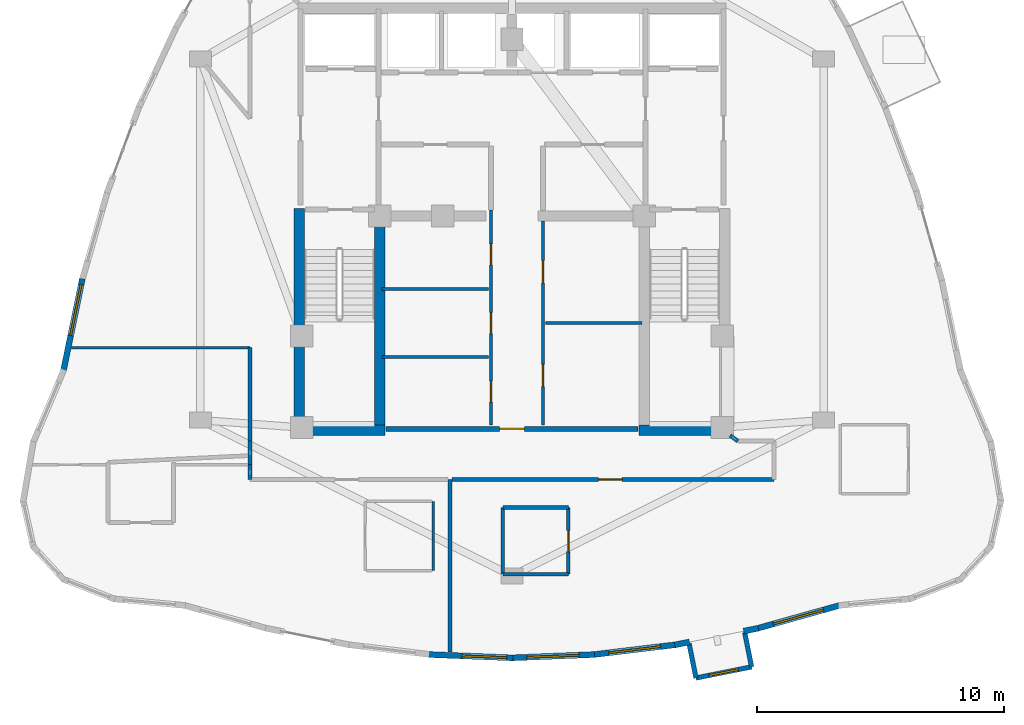
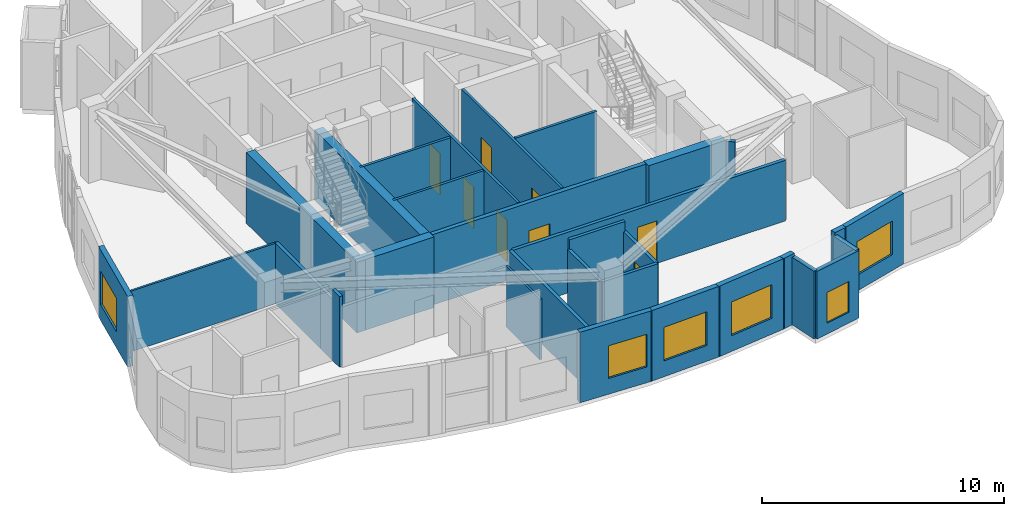
# One storey, part 12 of 16: 32 walls, 8 doors, 6 windows, 14 openings.
"""IFC4 building model written with IfcOpenShell, lengths in metres."""

from ifc_helpers import new_model, si_unit, direction, frame, frame_2d, origin, place, context, subcontext, project, spatial, rectangle, extrude, material, layer, layer_set, type_object, element, fill, save


model = new_model("IFC4")

# Units and contexts
model_context = context("Model", 3, precision=1e-05, world=origin(), true_north=direction((0.0, 1.0)))
body_context = subcontext(model_context, "Body", "Model", "MODEL_VIEW")
ifc_project = project(units=[si_unit("LENGTHUNIT", "METRE"), si_unit("AREAUNIT", "SQUARE_METRE"), si_unit("VOLUMEUNIT", "CUBIC_METRE"), si_unit("PLANEANGLEUNIT", "RADIAN"), si_unit("MASSUNIT", "GRAM", prefix="KILO")], contexts=[model_context])

# Site, building, storey
site_placement = place(None, origin())
site = spatial("IfcSite", under=ifc_project, at=site_placement, CompositionType="ELEMENT")
building_placement = place(site_placement, origin())
building = spatial("IfcBuilding", under=site, at=building_placement, Name="Miruveldt Soraemaru", CompositionType="ELEMENT")
storey_placement = place(building_placement, frame((0.0, 0.0, 271.25)))
storey = spatial("IfcBuildingStorey", under=building, at=storey_placement, Name="L74", CompositionType="ELEMENT", Elevation=271.25)

# Walls
ifc_material_1 = material(Name="White powder-coated aluminium EN AW-6060 T6", Category="aluminium")
ifc_layer_1 = layer(ifc_material_1, 0.18994140625, Name="White powder-coated aluminium EN AW-6060 T6", Category="aluminium")
ifc_layer_set_1 = layer_set([ifc_layer_1], Name="White powder-coated aluminium EN AW-6060 T6")
wall_type_1 = type_object("IfcWallType", Name="WALL-BAY-ALU190", PredefinedType="SOLIDWALL", material=ifc_layer_set_1)
wall_1_placement = place(storey_placement, frame((51.158447265625, 26.767578125, 0.0), z_axis=(0.0, 0.0, 1.0), x_axis=(0.196149079112, -0.980574086321, 0.0)))
element("IfcWall", 1, at=wall_1_placement, inside=storey, type_object=wall_type_1, Name="L74 Bay Window Side Cheek 2L", PredefinedType="SOLIDWALL", context=body_context, shape_type="SweptSolid", body=[
    extrude(rectangle(XDim=1.425048828125, YDim=0.18994140625, at=frame_2d((0.71240234375, 0.0))), origin(), (0.0, 0.0, 1.0), 3.4150390625),
])
wall_2_placement = place(storey_placement, frame((53.688232421875, 25.8203125, 0.0), z_axis=(0.0, 0.0, 1.0), x_axis=(-0.196017281962, 0.980600441144, 0.0)))
element("IfcWall", 2, at=wall_2_placement, inside=storey, type_object=wall_type_1, Name="L74 Bay Window Side Cheek 2R", PredefinedType="SOLIDWALL", context=body_context, shape_type="SweptSolid", body=[
    extrude(rectangle(XDim=1.4248046875, YDim=0.18994140625, at=frame_2d((0.71240234375, 0.0))), origin(), (0.0, 0.0, 1.0), 3.4150390625),
])

# Wall, opening, window
wall_3_placement = place(storey_placement, frame((51.43798828125, 25.3701171875, 0.0), z_axis=(0.0, 0.0, 1.0), x_axis=(0.980568398354, 0.196177511833, 0.0)))
wall_3 = element("IfcWall", 3, at=wall_3_placement, inside=storey, type_object=wall_type_1, Name="L74 Bay Window Front Frame 2", PredefinedType="SOLIDWALL", context=body_context, shape_type="SweptSolid", body=[
    extrude(rectangle(XDim=2.294921875, YDim=0.18994140625, at=frame_2d((1.1474609375, 0.0))), origin(), (0.0, 0.0, 1.0), 3.4150390625),
])
opening_1_placement = place(wall_3_placement, frame((0.547119140625, 0.0, 0.550048828125)))
opening_1 = element("IfcOpeningElement", 4, at=opening_1_placement, cuts=wall_3, Name="Opening WN-4", PredefinedType="OPENING", context=body_context, shape_type="SweptSolid", body=[
    extrude(rectangle(XDim=1.199951171875, YDim=1.550048828125, at=frame_2d((0.60009765625, 0.77490234375))), frame((0.0, 0.10498046875, 0.0), z_axis=(0.0, -1.0, 0.0), x_axis=(1.0, 0.0, 0.0)), (0.0, 0.0, 1.0), 0.2099609375),
])
ifc_material_2 = material(Name="Triple low-e insulated glazing", Category="glass")
window_type_1 = type_object("IfcWindowType", Name="WIN-PUNCH-1200x1550", PartitioningType="SINGLE_PANEL", PredefinedType="WINDOW", material=ifc_material_2)
window_1_placement = place(opening_1_placement, origin())
window_1 = element("IfcWindow", 5, at=window_1_placement, inside=storey, type_object=window_type_1, Name="L74 Projecting Bay Window 2", OverallHeight=1.550048828125, OverallWidth=1.199951171875, PartitioningType="SINGLE_PANEL", PredefinedType="WINDOW", context=body_context, shape_type="SweptSolid", body=[
    extrude(rectangle(XDim=1.199951171875, YDim=1.550048828125, at=frame_2d((0.60009765625, 0.77490234375))), frame((0.0, 0.030029296875, 0.0), z_axis=(0.0, -1.0, 0.0), x_axis=(1.0, 0.0, 0.0)), (0.0, 0.0, 1.0), 0.06005859375),
])
fill(opening_1, window_1)

# Walls
ifc_material_3 = material(Name="Concrete C50/60 (50 MPa)", Category="concrete")
ifc_layer_2 = layer(ifc_material_3, 0.419921875, Name="Concrete C50/60 (50 MPa)", Category="concrete")
ifc_layer_set_2 = layer_set([ifc_layer_2], Name="Concrete C50/60 (50 MPa)")
wall_type_2 = type_object("IfcWallType", Name="WALL-CW-420", PredefinedType="SHEAR", material=ifc_layer_set_2)
for number, where, z_axis, x_axis, name in (
    (6, (35.179931640625, 35.389892578125, 0.0), (0.0, 0.0, 1.0), (1.0, 0.0, 0.0), "L74 Central Core Shear Wall S1"),
    (7, (49.1298828125, 35.389892578125, 0.0), (0.0, 0.0, 1.0), (1.0, 0.0, 0.0), "L74 Central Core Shear Wall S2"),
):
    element("IfcWall", number, at=place(storey_placement, frame(where, z_axis=z_axis, x_axis=x_axis)), inside=storey, type_object=wall_type_2, Name=name, PredefinedType="SHEAR", context=body_context, shape_type="SweptSolid", body=[
        extrude(rectangle(XDim=3.690185546875, YDim=0.419921875, at=frame_2d((1.84521484375, 0.0))), origin(), (0.0, 0.0, 1.0), 3.56494140625),
    ])
wall_4_placement = place(storey_placement, frame((35.389892578125, 35.179931640625, 0.0), z_axis=(0.0, 0.0, 1.0), x_axis=(0.0, 1.0, 0.0)))
element("IfcWall", 8, at=wall_4_placement, inside=storey, type_object=wall_type_2, Name="L74 Central Core Shear Wall W1", PredefinedType="SHEAR", context=body_context, shape_type="SweptSolid", body=[
    extrude(rectangle(XDim=9.170166015625, YDim=0.419921875, at=frame_2d((4.5849609375, 0.0))), origin(), (0.0, 0.0, 1.0), 3.56494140625),
])
wall_5_placement = place(storey_placement, frame((38.659912109375, 35.39990234375, 0.0), z_axis=(0.0, 0.0, 1.0), x_axis=(0.0, 1.0, 0.0)))
element("IfcWall", 9, at=wall_5_placement, inside=storey, type_object=wall_type_2, Name="L74 Central Core Shear Wall SW-INT", PredefinedType="SHEAR", context=body_context, shape_type="SweptSolid", body=[
    extrude(rectangle(XDim=8.9501953125, YDim=0.419921875, at=frame_2d((4.47509765625, 0.0))), origin(), (0.0, 0.0, 1.0), 3.56494140625),
])

# Wall, opening, window
ifc_material_4 = material(Name="Precast concrete C45/55 (45 MPa)", Category="concrete")
ifc_layer_3 = layer(ifc_material_4, 0.239990234375, Name="Precast concrete C45/55 (45 MPa)", Category="concrete")
ifc_layer_set_3 = layer_set([ifc_layer_3], Name="Precast concrete C45/55 (45 MPa)")
wall_type_3 = type_object("IfcWallType", Name="WALL-EXT-PC240", PredefinedType="SOLIDWALL", material=ifc_layer_set_3)
wall_6_placement = place(storey_placement, frame((26.62646484375, 41.516357421875, 0.0), z_axis=(0.0, 0.0, 1.0), x_axis=(-0.201582588986, -0.979471520677, 0.0)))
wall_6 = element("IfcWall", 10, at=wall_6_placement, inside=storey, type_object=wall_type_3, Name="L74 Precast Concrete Facade Wall 14", PredefinedType="SOLIDWALL", context=body_context, shape_type="SweptSolid", body=[
    extrude(rectangle(XDim=3.81982421875, YDim=0.239990234375, at=frame_2d((1.909912109375, 0.0))), origin(), (0.0, 0.0, 1.0), 3.56494140625),
])
opening_2_placement = place(wall_6_placement, frame((0.242919921875, 0.0, 0.800048828125)))
opening_2 = element("IfcOpeningElement", 11, at=opening_2_placement, cuts=wall_6, Name="Opening WN-1", PredefinedType="OPENING", context=body_context, shape_type="SweptSolid", body=[
    extrude(rectangle(XDim=2.10009765625, YDim=1.699951171875, at=frame_2d((1.050048828125, 0.85009765625))), frame((0.0, 0.1298828125, 0.0), z_axis=(0.0, -1.0, 0.0), x_axis=(1.0, 0.0, 0.0)), (0.0, 0.0, 1.0), 0.260009765625),
])
window_type_2 = type_object("IfcWindowType", Name="WIN-PUNCH-2100x1700", PartitioningType="SINGLE_PANEL", PredefinedType="WINDOW", material=ifc_material_2)
window_2_placement = place(opening_2_placement, origin())
window_2 = element("IfcWindow", 12, at=window_2_placement, inside=storey, type_object=window_type_2, Name="L74 Punched Triple-Glazed Window 14.1", OverallHeight=1.699951171875, OverallWidth=2.10009765625, PartitioningType="SINGLE_PANEL", PredefinedType="WINDOW", context=body_context, shape_type="SweptSolid", body=[
    extrude(rectangle(XDim=2.10009765625, YDim=1.699951171875, at=frame_2d((1.050048828125, 0.85009765625))), frame((0.0, 0.030029296875, 0.0), z_axis=(0.0, -1.0, 0.0), x_axis=(1.0, 0.0, 0.0)), (0.0, 0.0, 1.0), 0.06005859375),
])
fill(opening_2, window_2)

wall_7_placement = place(storey_placement, frame((40.65576171875, 26.31982421875, 0.0), z_axis=(0.0, 0.0, 1.0), x_axis=(0.999202802808, -0.039921909541, 0.0)))
wall_7 = element("IfcWall", 13, at=wall_7_placement, inside=storey, type_object=wall_type_3, Name="L74 Precast Concrete Facade Wall 24", PredefinedType="SOLIDWALL", context=body_context, shape_type="SweptSolid", body=[
    extrude(rectangle(XDim=3.3818359375, YDim=0.239990234375, at=frame_2d((1.69091796875, 0.0))), origin(), (0.0, 0.0, 1.0), 3.56494140625),
])
opening_3_placement = place(wall_7_placement, frame((1.33203125, 0.0, 0.800048828125)))
opening_3 = element("IfcOpeningElement", 14, at=opening_3_placement, cuts=wall_7, Name="Opening WN-2", PredefinedType="OPENING", context=body_context, shape_type="SweptSolid", body=[
    extrude(rectangle(XDim=1.800048828125, YDim=1.64990234375, at=frame_2d((0.89990234375, 0.824951171875))), frame((0.0, 0.1298828125, 0.0), z_axis=(0.0, -1.0, 0.0), x_axis=(1.0, 0.0, 0.0)), (0.0, 0.0, 1.0), 0.260009765625),
])
window_type_3 = type_object("IfcWindowType", Name="WIN-PUNCH-1800x1650", PartitioningType="SINGLE_PANEL", PredefinedType="WINDOW", material=ifc_material_2)
window_3_placement = place(opening_3_placement, origin())
window_3 = element("IfcWindow", 15, at=window_3_placement, inside=storey, type_object=window_type_3, Name="L74 Punched Triple-Glazed Window 24.1", OverallHeight=1.64990234375, OverallWidth=1.800048828125, PartitioningType="SINGLE_PANEL", PredefinedType="WINDOW", context=body_context, shape_type="SweptSolid", body=[
    extrude(rectangle(XDim=1.800048828125, YDim=1.64990234375, at=frame_2d((0.89990234375, 0.824951171875))), frame((0.0, 0.030029296875, 0.0), z_axis=(0.0, -1.0, 0.0), x_axis=(1.0, 0.0, 0.0)), (0.0, 0.0, 1.0), 0.06005859375),
])
fill(opening_3, window_3)

wall_8_placement = place(storey_placement, frame((43.965087890625, 26.184814453125, 0.0), z_axis=(0.0, 0.0, 1.0), x_axis=(0.999202802808, 0.039921909541, 0.0)))
wall_8 = element("IfcWall", 16, at=wall_8_placement, inside=storey, type_object=wall_type_3, Name="L74 Precast Concrete Facade Wall 25", PredefinedType="SOLIDWALL", context=body_context, shape_type="SweptSolid", body=[
    extrude(rectangle(XDim=3.3818359375, YDim=0.239990234375, at=frame_2d((1.69091796875, 0.0))), origin(), (0.0, 0.0, 1.0), 3.56494140625),
])
opening_4_placement = place(wall_8_placement, frame((0.64111328125, 0.0, 0.800048828125)))
opening_4 = element("IfcOpeningElement", 17, at=opening_4_placement, cuts=wall_8, Name="Opening WN-1", PredefinedType="OPENING", context=body_context, shape_type="SweptSolid", body=[
    extrude(rectangle(XDim=2.10009765625, YDim=1.699951171875, at=frame_2d((1.050048828125, 0.85009765625))), frame((0.0, 0.1298828125, 0.0), z_axis=(0.0, -1.0, 0.0), x_axis=(1.0, 0.0, 0.0)), (0.0, 0.0, 1.0), 0.260009765625),
])
window_4_placement = place(opening_4_placement, origin())
window_4 = element("IfcWindow", 18, at=window_4_placement, inside=storey, type_object=window_type_2, Name="L74 Punched Triple-Glazed Window 25.1", OverallHeight=1.699951171875, OverallWidth=2.10009765625, PartitioningType="SINGLE_PANEL", PredefinedType="WINDOW", context=body_context, shape_type="SweptSolid", body=[
    extrude(rectangle(XDim=2.10009765625, YDim=1.699951171875, at=frame_2d((1.050048828125, 0.85009765625))), frame((0.0, 0.030029296875, 0.0), z_axis=(0.0, -1.0, 0.0), x_axis=(1.0, 0.0, 0.0)), (0.0, 0.0, 1.0), 0.06005859375),
])
fill(opening_4, window_4)

wall_9_placement = place(storey_placement, frame((47.2744140625, 26.314208984375, 0.0), z_axis=(0.0, 0.0, 1.0), x_axis=(0.992874122343, 0.119167852967, 0.0)))
wall_9 = element("IfcWall", 19, at=wall_9_placement, inside=storey, type_object=wall_type_3, Name="L74 Precast Concrete Facade Wall 26", PredefinedType="SOLIDWALL", context=body_context, shape_type="SweptSolid", body=[
    extrude(rectangle(XDim=3.40283203125, YDim=0.239990234375, at=frame_2d((1.701416015625, 0.0))), origin(), (0.0, 0.0, 1.0), 3.56494140625),
])
opening_5_placement = place(wall_9_placement, frame((0.65087890625, 0.0, 0.800048828125)))
opening_5 = element("IfcOpeningElement", 20, at=opening_5_placement, cuts=wall_9, Name="Opening WN-1", PredefinedType="OPENING", context=body_context, shape_type="SweptSolid", body=[
    extrude(rectangle(XDim=2.10009765625, YDim=1.699951171875, at=frame_2d((1.050048828125, 0.85009765625))), frame((0.0, 0.1298828125, 0.0), z_axis=(0.0, -1.0, 0.0), x_axis=(1.0, 0.0, 0.0)), (0.0, 0.0, 1.0), 0.260009765625),
])
window_5_placement = place(opening_5_placement, origin())
window_5 = element("IfcWindow", 21, at=window_5_placement, inside=storey, type_object=window_type_2, Name="L74 Punched Triple-Glazed Window 26.1", OverallHeight=1.699951171875, OverallWidth=2.10009765625, PartitioningType="SINGLE_PANEL", PredefinedType="WINDOW", context=body_context, shape_type="SweptSolid", body=[
    extrude(rectangle(XDim=2.10009765625, YDim=1.699951171875, at=frame_2d((1.050048828125, 0.85009765625))), frame((0.0, 0.030029296875, 0.0), z_axis=(0.0, -1.0, 0.0), x_axis=(1.0, 0.0, 0.0)), (0.0, 0.0, 1.0), 0.06005859375),
])
fill(opening_5, window_5)

# Walls
wall_10_placement = place(storey_placement, frame((50.583984375, 26.708740234375, 0.0), z_axis=(0.0, 0.0, 1.0), x_axis=(0.980565146046, 0.196193767385, 0.0)))
element("IfcWall", 22, at=wall_10_placement, inside=storey, type_object=wall_type_3, Name="L74 Precast Pier Wall 27A", PredefinedType="SOLIDWALL", context=body_context, shape_type="SweptSolid", body=[
    extrude(rectangle(XDim=0.604736328125, YDim=0.239990234375, at=frame_2d((0.30224609375, 0.0))), origin(), (0.0, 0.0, 1.0), 3.56494140625),
])
wall_11_placement = place(storey_placement, frame((53.36865234375, 27.265625, 0.0), z_axis=(0.0, 0.0, 1.0), x_axis=(0.980580675691, 0.196116135138, 0.0)))
element("IfcWall", 23, at=wall_11_placement, inside=storey, type_object=wall_type_3, Name="L74 Precast Pier Wall 27B", PredefinedType="SOLIDWALL", context=body_context, shape_type="SweptSolid", body=[
    extrude(rectangle(XDim=0.60498046875, YDim=0.239990234375, at=frame_2d((0.302490234375, 0.0))), origin(), (0.0, 0.0, 1.0), 3.56494140625),
])

# Wall, opening, window
wall_12_placement = place(storey_placement, frame((53.893798828125, 27.367919921875, 0.0), z_axis=(0.0, 0.0, 1.0), x_axis=(0.962953171866, 0.269668664833, 0.0)))
wall_12 = element("IfcWall", 24, at=wall_12_placement, inside=storey, type_object=wall_type_3, Name="L74 Precast Concrete Facade Wall 28", PredefinedType="SOLIDWALL", context=body_context, shape_type="SweptSolid", body=[
    extrude(rectangle(XDim=3.50634765625, YDim=0.239990234375, at=frame_2d((1.753173828125, 0.0))), origin(), (0.0, 0.0, 1.0), 3.56494140625),
])
opening_6_placement = place(wall_12_placement, frame((0.702880859375, 0.0, 0.800048828125)))
opening_6 = element("IfcOpeningElement", 25, at=opening_6_placement, cuts=wall_12, Name="Opening WN-1", PredefinedType="OPENING", context=body_context, shape_type="SweptSolid", body=[
    extrude(rectangle(XDim=2.10009765625, YDim=1.699951171875, at=frame_2d((1.050048828125, 0.85009765625))), frame((0.0, 0.1298828125, 0.0), z_axis=(0.0, -1.0, 0.0), x_axis=(1.0, 0.0, 0.0)), (0.0, 0.0, 1.0), 0.260009765625),
])
window_6_placement = place(opening_6_placement, origin())
window_6 = element("IfcWindow", 26, at=window_6_placement, inside=storey, type_object=window_type_2, Name="L74 Punched Triple-Glazed Window 28.1", OverallHeight=1.699951171875, OverallWidth=2.10009765625, PartitioningType="SINGLE_PANEL", PredefinedType="WINDOW", context=body_context, shape_type="SweptSolid", body=[
    extrude(rectangle(XDim=2.10009765625, YDim=1.699951171875, at=frame_2d((1.050048828125, 0.85009765625))), frame((0.0, 0.030029296875, 0.0), z_axis=(0.0, -1.0, 0.0), x_axis=(1.0, 0.0, 0.0)), (0.0, 0.0, 1.0), 0.06005859375),
])
fill(opening_6, window_6)

# Walls
ifc_material_5 = material(Name="Gypsum plasterboard lining", Category="gypsum")
ifc_layer_4 = layer(ifc_material_5, 0.10009765625, Name="Gypsum plasterboard lining", Category="gypsum")
ifc_layer_set_4 = layer_set([ifc_layer_4], Name="Gypsum plasterboard lining")
wall_type_4 = type_object("IfcWallType", Name="WALL-INT-P100", PredefinedType="PARTITIONING", material=ifc_layer_set_4)
wall_13_placement = place(storey_placement, frame((26.18896484375, 38.720947265625, 0.0), z_axis=(0.0, 0.0, 1.0), x_axis=(0.999998839378, 0.001523562695, 0.0)))
element("IfcWall", 27, at=wall_13_placement, inside=storey, type_object=wall_type_4, Name="L74 Partition Wall 39", PredefinedType="PARTITIONING", context=body_context, shape_type="SweptSolid", body=[
    extrude(rectangle(XDim=7.2109375, YDim=0.10009765625, at=frame_2d((3.60546875, 0.0))), origin(), (0.0, 0.0, 1.0), 3.06494140625),
])
wall_14_placement = place(storey_placement, frame((40.81005859375, 29.7109375, 0.0), z_axis=(0.0, 0.0, 1.0), x_axis=(0.0, 1.0, 0.0)))
element("IfcWall", 28, at=wall_14_placement, inside=storey, type_object=wall_type_4, Name="L74 Partition Wall 23", PredefinedType="PARTITIONING", context=body_context, shape_type="SweptSolid", body=[
    extrude(rectangle(XDim=2.800048828125, YDim=0.10009765625, at=frame_2d((1.39990234375, 0.0))), origin(), (0.0, 0.0, 1.0), 3.06494140625),
])

# Wall, openings, doors
ifc_layer_5 = layer(ifc_material_5, 0.1201171875, Name="Gypsum plasterboard lining", Category="gypsum")
ifc_layer_set_5 = layer_set([ifc_layer_5], Name="Gypsum plasterboard lining")
wall_type_5 = type_object("IfcWallType", Name="WALL-INT-P120", PredefinedType="PARTITIONING", material=ifc_layer_set_5)
wall_15_placement = place(storey_placement, frame((43.14990234375, 35.60009765625, 0.0), z_axis=(0.0, 0.0, 1.0), x_axis=(0.0, 1.0, 0.0)))
wall_15 = element("IfcWall", 29, at=wall_15_placement, inside=storey, type_object=wall_type_5, Name="L74 Core Compartment Wall SP-WL", PredefinedType="PARTITIONING", context=body_context, shape_type="SweptSolid", body=[
    extrude(rectangle(XDim=8.699951171875, YDim=0.1201171875, at=frame_2d((4.35009765625, 0.0))), origin(), (0.0, 0.0, 1.0), 3.56494140625),
])
opening_7_placement = place(wall_15_placement, frame((0.925048828125, 0.0, 0.0)))
opening_7 = element("IfcOpeningElement", 30, at=opening_7_placement, cuts=wall_15, Name="Opening FD3", PredefinedType="OPENING", context=body_context, shape_type="SweptSolid", body=[
    extrude(rectangle(XDim=0.85009765625, YDim=2.10009765625, at=frame_2d((0.425048828125, 1.050048828125))), frame((0.0, 0.070068359375, 0.0), z_axis=(0.0, -1.0, 0.0), x_axis=(1.0, 0.0, 0.0)), (0.0, 0.0, 1.0), 0.14013671875),
])
opening_8_placement = place(wall_15_placement, frame((3.695068359375, 0.0, 0.0)))
opening_8 = element("IfcOpeningElement", 31, at=opening_8_placement, cuts=wall_15, Name="Opening FD3", PredefinedType="OPENING", context=body_context, shape_type="SweptSolid", body=[
    extrude(rectangle(XDim=0.85009765625, YDim=2.10009765625, at=frame_2d((0.425048828125, 1.050048828125))), frame((0.0, 0.070068359375, 0.0), z_axis=(0.0, -1.0, 0.0), x_axis=(1.0, 0.0, 0.0)), (0.0, 0.0, 1.0), 0.14013671875),
])
opening_9_placement = place(wall_15_placement, frame((6.47509765625, 0.0, 0.0)))
opening_9 = element("IfcOpeningElement", 32, at=opening_9_placement, cuts=wall_15, Name="Opening FD3", PredefinedType="OPENING", context=body_context, shape_type="SweptSolid", body=[
    extrude(rectangle(XDim=0.85009765625, YDim=2.10009765625, at=frame_2d((0.425048828125, 1.050048828125))), frame((0.0, 0.070068359375, 0.0), z_axis=(0.0, -1.0, 0.0), x_axis=(1.0, 0.0, 0.0)), (0.0, 0.0, 1.0), 0.14013671875),
])
ifc_material_6 = material(Name="Anodised aluminium EN AW-6063 T6", Category="aluminium")
door_type_1 = type_object("IfcDoorType", Name="DOOR-FD3-850", OperationType="NOTDEFINED", PredefinedType="DOOR", material=ifc_material_6)
door_1_placement = place(opening_7_placement, origin())
door_1 = element("IfcDoor", 33, at=door_1_placement, inside=storey, type_object=door_type_1, Name="L74 Fire Door", OperationType="SINGLE_SWING_LEFT", OverallHeight=2.10009765625, OverallWidth=0.85009765625, PredefinedType="DOOR", context=body_context, shape_type="SweptSolid", body=[
    extrude(rectangle(XDim=0.85009765625, YDim=2.10009765625, at=frame_2d((0.425048828125, 1.050048828125))), frame((0.0, 0.02490234375, 0.0), z_axis=(0.0, -1.0, 0.0), x_axis=(1.0, 0.0, 0.0)), (0.0, 0.0, 1.0), 0.050048828125),
])
fill(opening_7, door_1)
door_2_placement = place(opening_8_placement, origin())
door_2 = element("IfcDoor", 34, at=door_2_placement, inside=storey, type_object=door_type_1, Name="L74 Fire Door", OperationType="SINGLE_SWING_LEFT", OverallHeight=2.10009765625, OverallWidth=0.85009765625, PredefinedType="DOOR", context=body_context, shape_type="SweptSolid", body=[
    extrude(rectangle(XDim=0.85009765625, YDim=2.10009765625, at=frame_2d((0.425048828125, 1.050048828125))), frame((0.0, 0.02490234375, 0.0), z_axis=(0.0, -1.0, 0.0), x_axis=(1.0, 0.0, 0.0)), (0.0, 0.0, 1.0), 0.050048828125),
])
fill(opening_8, door_2)
door_3_placement = place(opening_9_placement, origin())
door_3 = element("IfcDoor", 35, at=door_3_placement, inside=storey, type_object=door_type_1, Name="L74 Fire Door", OperationType="SINGLE_SWING_LEFT", OverallHeight=2.10009765625, OverallWidth=0.85009765625, PredefinedType="DOOR", context=body_context, shape_type="SweptSolid", body=[
    extrude(rectangle(XDim=0.85009765625, YDim=2.10009765625, at=frame_2d((0.425048828125, 1.050048828125))), frame((0.0, 0.02490234375, 0.0), z_axis=(0.0, -1.0, 0.0), x_axis=(1.0, 0.0, 0.0)), (0.0, 0.0, 1.0), 0.050048828125),
])
fill(opening_9, door_3)

wall_16_placement = place(storey_placement, frame((45.25, 35.60009765625, 0.0), z_axis=(0.0, 0.0, 1.0), x_axis=(0.0, 1.0, 0.0)))
wall_16 = element("IfcWall", 36, at=wall_16_placement, inside=storey, type_object=wall_type_5, Name="L74 Core Compartment Wall SP-EL", PredefinedType="PARTITIONING", context=body_context, shape_type="SweptSolid", body=[
    extrude(rectangle(XDim=8.25, YDim=0.1201171875, at=frame_2d((4.125, 0.0))), origin(), (0.0, 0.0, 1.0), 3.56494140625),
])
opening_10_placement = place(wall_16_placement, frame((1.550048828125, 0.0, 0.0)))
opening_10 = element("IfcOpeningElement", 37, at=opening_10_placement, cuts=wall_16, Name="Opening D3", PredefinedType="OPENING", context=body_context, shape_type="SweptSolid", body=[
    extrude(rectangle(XDim=0.89990234375, YDim=2.10009765625, at=frame_2d((0.449951171875, 1.050048828125))), frame((0.0, 0.070068359375, 0.0), z_axis=(0.0, -1.0, 0.0), x_axis=(1.0, 0.0, 0.0)), (0.0, 0.0, 1.0), 0.14013671875),
])
opening_11_placement = place(wall_16_placement, frame((5.75, 0.0, 0.0)))
opening_11 = element("IfcOpeningElement", 38, at=opening_11_placement, cuts=wall_16, Name="Opening D3", PredefinedType="OPENING", context=body_context, shape_type="SweptSolid", body=[
    extrude(rectangle(XDim=0.89990234375, YDim=2.10009765625, at=frame_2d((0.449951171875, 1.050048828125))), frame((0.0, 0.070068359375, 0.0), z_axis=(0.0, -1.0, 0.0), x_axis=(1.0, 0.0, 0.0)), (0.0, 0.0, 1.0), 0.14013671875),
])
door_type_2 = type_object("IfcDoorType", Name="DOOR-INT-900", OperationType="NOTDEFINED", PredefinedType="DOOR", material=ifc_material_6)
door_4_placement = place(opening_10_placement, origin())
door_4 = element("IfcDoor", 39, at=door_4_placement, inside=storey, type_object=door_type_2, Name="L74 Fire Door", OperationType="SINGLE_SWING_LEFT", OverallHeight=2.10009765625, OverallWidth=0.89990234375, PredefinedType="DOOR", context=body_context, shape_type="SweptSolid", body=[
    extrude(rectangle(XDim=0.89990234375, YDim=2.10009765625, at=frame_2d((0.449951171875, 1.050048828125))), frame((0.0, 0.02490234375, 0.0), z_axis=(0.0, -1.0, 0.0), x_axis=(1.0, 0.0, 0.0)), (0.0, 0.0, 1.0), 0.050048828125),
])
fill(opening_10, door_4)
door_5_placement = place(opening_11_placement, origin())
door_5 = element("IfcDoor", 40, at=door_5_placement, inside=storey, type_object=door_type_2, Name="L74 Fire Door", OperationType="SINGLE_SWING_LEFT", OverallHeight=2.10009765625, OverallWidth=0.89990234375, PredefinedType="DOOR", context=body_context, shape_type="SweptSolid", body=[
    extrude(rectangle(XDim=0.89990234375, YDim=2.10009765625, at=frame_2d((0.449951171875, 1.050048828125))), frame((0.0, 0.02490234375, 0.0), z_axis=(0.0, -1.0, 0.0), x_axis=(1.0, 0.0, 0.0)), (0.0, 0.0, 1.0), 0.050048828125),
])
fill(opening_11, door_5)

# Walls
for number, where, z_axis, x_axis, name in (
    (41, (38.75, 38.35009765625, 0.0), (0.0, 0.0, 1.0), (1.0, 0.0, 0.0), "L74 Core Compartment Wall RL-W3A"),
    (42, (38.75, 41.10009765625, 0.0), (0.0, 0.0, 1.0), (1.0, 0.0, 0.0), "L74 Core Compartment Wall RL-W3B"),
):
    element("IfcWall", number, at=place(storey_placement, frame(where, z_axis=z_axis, x_axis=x_axis)), inside=storey, type_object=wall_type_5, Name=name, PredefinedType="PARTITIONING", context=body_context, shape_type="SweptSolid", body=[
        extrude(rectangle(XDim=4.300048828125, YDim=0.1201171875, at=frame_2d((2.14990234375, 0.0))), origin(), (0.0, 0.0, 1.0), 3.56494140625),
    ])
wall_17_placement = place(storey_placement, frame((45.35009765625, 39.719970703125, 0.0), z_axis=(0.0, 0.0, 1.0), x_axis=(1.0, 0.0, 0.0)))
element("IfcWall", 43, at=wall_17_placement, inside=storey, type_object=wall_type_5, Name="L74 Core Compartment Wall RL-E3H", PredefinedType="PARTITIONING", context=body_context, shape_type="SweptSolid", body=[
    extrude(rectangle(XDim=3.89990234375, YDim=0.1201171875, at=frame_2d((1.949951171875, 0.0))), origin(), (0.0, 0.0, 1.0), 3.56494140625),
])

# Wall, opening, door
ifc_layer_6 = layer(ifc_material_5, 0.14990234375, Name="Gypsum plasterboard lining", Category="gypsum")
ifc_layer_set_6 = layer_set([ifc_layer_6], Name="Gypsum plasterboard lining")
wall_type_6 = type_object("IfcWallType", Name="WALL-INT-PLUMB", PredefinedType="PLUMBINGWALL", material=ifc_layer_set_6)
wall_18_placement = place(storey_placement, frame((46.280029296875, 29.568115234375, 0.0), z_axis=(0.0, 0.0, 1.0), x_axis=(0.0, 1.0, 0.0)))
wall_18 = element("IfcWall", 44, at=wall_18_placement, inside=storey, type_object=wall_type_6, Name="L74 Partition Wall 31", PredefinedType="PLUMBINGWALL", context=body_context, shape_type="SweptSolid", body=[
    extrude(rectangle(XDim=2.699951171875, YDim=0.14990234375, at=frame_2d((1.35009765625, 0.0))), origin(), (0.0, 0.0, 1.0), 3.06494140625),
])
opening_12_placement = place(wall_18_placement, frame((0.909912109375, 0.0, 0.0)))
opening_12 = element("IfcOpeningElement", 45, at=opening_12_placement, cuts=wall_18, Name="Opening FD3", PredefinedType="OPENING", context=body_context, shape_type="SweptSolid", body=[
    extrude(rectangle(XDim=0.85009765625, YDim=2.10009765625, at=frame_2d((0.425048828125, 1.050048828125))), frame((0.0, 0.0849609375, 0.0), z_axis=(0.0, -1.0, 0.0), x_axis=(1.0, 0.0, 0.0)), (0.0, 0.0, 1.0), 0.169921875),
])
door_6_placement = place(opening_12_placement, origin())
door_6 = element("IfcDoor", 46, at=door_6_placement, inside=storey, type_object=door_type_1, Name="L74 Unit CL04 BTH Door", OperationType="SINGLE_SWING_LEFT", OverallHeight=2.10009765625, OverallWidth=0.85009765625, PredefinedType="DOOR", context=body_context, shape_type="SweptSolid", body=[
    extrude(rectangle(XDim=0.85009765625, YDim=2.10009765625, at=frame_2d((0.425048828125, 1.050048828125))), frame((0.0, 0.02490234375, 0.0), z_axis=(0.0, -1.0, 0.0), x_axis=(1.0, 0.0, 0.0)), (0.0, 0.0, 1.0), 0.050048828125),
])
fill(opening_12, door_6)

# Walls
wall_19_placement = place(storey_placement, frame((43.6298828125, 32.26806640625, 0.0), z_axis=(0.0, 0.0, 1.0), x_axis=(0.0, -1.0, 0.0)))
element("IfcWall", 47, at=wall_19_placement, inside=storey, type_object=wall_type_6, Name="L74 Partition Wall 33", PredefinedType="PLUMBINGWALL", context=body_context, shape_type="SweptSolid", body=[
    extrude(rectangle(XDim=2.699951171875, YDim=0.14990234375, at=frame_2d((1.35009765625, 0.0))), origin(), (0.0, 0.0, 1.0), 3.06494140625),
])
wall_20_placement = place(storey_placement, frame((46.280029296875, 32.26806640625, 0.0), z_axis=(0.0, 0.0, 1.0), x_axis=(-1.0, 0.0, 0.0)))
element("IfcWall", 48, at=wall_20_placement, inside=storey, type_object=wall_type_6, Name="L74 Partition Wall 32", PredefinedType="PLUMBINGWALL", context=body_context, shape_type="SweptSolid", body=[
    extrude(rectangle(XDim=2.650146484375, YDim=0.14990234375, at=frame_2d((1.3251953125, 0.0))), origin(), (0.0, 0.0, 1.0), 3.56494140625),
])
wall_21_placement = place(storey_placement, frame((43.6298828125, 29.568115234375, 0.0), z_axis=(0.0, 0.0, 1.0), x_axis=(1.0, 0.0, 0.0)))
element("IfcWall", 49, at=wall_21_placement, inside=storey, type_object=wall_type_6, Name="L74 Partition Wall 34", PredefinedType="PLUMBINGWALL", context=body_context, shape_type="SweptSolid", body=[
    extrude(rectangle(XDim=2.650146484375, YDim=0.14990234375, at=frame_2d((1.3251953125, 0.0))), origin(), (0.0, 0.0, 1.0), 3.06494140625),
])

# Wall, opening, door
ifc_material_7 = material(Name="Concrete C40/50 (40 MPa)", Category="concrete")
ifc_layer_7 = layer(ifc_material_7, 0.159912109375, Name="Concrete C40/50 (40 MPa)", Category="concrete")
ifc_layer_set_7 = layer_set([ifc_layer_7], Name="Concrete C40/50 (40 MPa)")
wall_type_7 = type_object("IfcWallType", Name="WALL-INT-RC160", PredefinedType="SOLIDWALL", material=ifc_layer_set_7)
wall_22_placement = place(storey_placement, frame((41.5830078125, 33.39990234375, 0.0), z_axis=(0.0, 0.0, 1.0), x_axis=(1.0, 0.0, 0.0)))
wall_22 = element("IfcWall", 50, at=wall_22_placement, inside=storey, type_object=wall_type_7, Name="L74 Partition Wall 8", PredefinedType="SOLIDWALL", context=body_context, shape_type="SweptSolid", body=[
    extrude(rectangle(XDim=13.01708984375, YDim=0.159912109375, at=frame_2d((6.508544921875, 0.0))), origin(), (0.0, 0.0, 1.0), 3.06494140625),
])
opening_13_placement = place(wall_22_placement, frame((5.924072265625, 0.0, 0.0)))
opening_13 = element("IfcOpeningElement", 51, at=opening_13_placement, cuts=wall_22, Name="Opening FD2", PredefinedType="OPENING", context=body_context, shape_type="SweptSolid", body=[
    extrude(rectangle(XDim=0.949951171875, YDim=2.14990234375, at=frame_2d((0.47509765625, 1.074951171875))), frame((0.0, 0.08984375, 0.0), z_axis=(0.0, -1.0, 0.0), x_axis=(1.0, 0.0, 0.0)), (0.0, 0.0, 1.0), 0.179931640625),
])
door_type_3 = type_object("IfcDoorType", Name="DOOR-FD2-950", OperationType="NOTDEFINED", PredefinedType="DOOR", material=ifc_material_6)
door_7_placement = place(opening_13_placement, origin())
door_7 = element("IfcDoor", 52, at=door_7_placement, inside=storey, type_object=door_type_3, Name="L74 Unit CL04 Entrance Fire Door", OperationType="SINGLE_SWING_RIGHT", OverallHeight=2.14990234375, OverallWidth=0.949951171875, PredefinedType="DOOR", context=body_context, shape_type="SweptSolid", body=[
    extrude(rectangle(XDim=0.949951171875, YDim=2.14990234375, at=frame_2d((0.47509765625, 1.074951171875))), frame((0.0, 0.02490234375, 0.0), z_axis=(0.0, -1.0, 0.0), x_axis=(1.0, 0.0, 0.0)), (0.0, 0.0, 1.0), 0.050048828125),
])
fill(opening_13, door_7)

# Walls
wall_23_placement = place(storey_placement, frame((41.501953125, 26.4208984375, 0.0), z_axis=(0.0, 0.0, 1.0), x_axis=(-0.000279974791, 0.999999960807, 0.0)))
element("IfcWall", 53, at=wall_23_placement, inside=storey, type_object=wall_type_7, Name="L74 Partition Wall 29", PredefinedType="SOLIDWALL", context=body_context, shape_type="SweptSolid", body=[
    extrude(rectangle(XDim=6.97607421875, YDim=0.159912109375, at=frame_2d((3.488037109375, 0.0))), origin(), (0.0, 0.0, 1.0), 3.06494140625),
])
wall_24_placement = place(storey_placement, frame((33.39990234375, 38.73193359375, 0.0), z_axis=(0.0, 0.0, 1.0), x_axis=(0.0, -1.0, 0.0)))
element("IfcWall", 54, at=wall_24_placement, inside=storey, type_object=wall_type_7, Name="L74 Partition Wall 6", PredefinedType="SOLIDWALL", context=body_context, shape_type="SweptSolid", body=[
    extrude(rectangle(XDim=3.781982421875, YDim=0.159912109375, at=frame_2d((1.89111328125, 0.0))), origin(), (0.0, 0.0, 1.0), 3.06494140625),
])
wall_25_placement = place(storey_placement, frame((33.39990234375, 34.949951171875, 0.0), z_axis=(0.0, 0.0, 1.0), x_axis=(0.0, -1.0, 0.0)))
element("IfcWall", 55, at=wall_25_placement, inside=storey, type_object=wall_type_7, Name="L74 Partition Wall 7", PredefinedType="SOLIDWALL", context=body_context, shape_type="SweptSolid", body=[
    extrude(rectangle(XDim=0.946044921875, YDim=0.159912109375, at=frame_2d((0.47314453125, 0.0))), origin(), (0.0, 0.0, 1.0), 3.06494140625),
])
wall_26_placement = place(storey_placement, frame((33.39990234375, 34.0, 0.0), z_axis=(0.0, 0.0, 1.0), x_axis=(0.0, -1.0, 0.0)))
element("IfcWall", 56, at=wall_26_placement, inside=storey, type_object=wall_type_7, Name="L74 Partition Wall 4", PredefinedType="SOLIDWALL", context=body_context, shape_type="SweptSolid", body=[
    extrude(rectangle(XDim=0.60009765625, YDim=0.159912109375, at=frame_2d((0.300048828125, 0.0))), origin(), (0.0, 0.0, 1.0), 3.56494140625),
])
wall_27_placement = place(storey_placement, frame((53.133056640625, 34.949951171875, 0.0), z_axis=(0.0, 0.0, 1.0), x_axis=(-0.80584508583, 0.592126420322, 0.0)))
element("IfcWall", 57, at=wall_27_placement, inside=storey, type_object=wall_type_7, Name="L74 Partition Closure Return 4", PredefinedType="SOLIDWALL", context=body_context, shape_type="SweptSolid", body=[
    extrude(rectangle(XDim=0.388427734375, YDim=0.159912109375, at=frame_2d((0.1943359375, 0.0))), origin(), (0.0, 0.0, 1.0), 3.56494140625),
])

# Wall, opening, door
ifc_layer_8 = layer(ifc_material_7, 0.199951171875, Name="Concrete C40/50 (40 MPa)", Category="concrete")
ifc_layer_set_8 = layer_set([ifc_layer_8], Name="Concrete C40/50 (40 MPa)")
wall_type_8 = type_object("IfcWallType", Name="WALL-INT-RC200", PredefinedType="SOLIDWALL", material=ifc_layer_set_8)
wall_28_placement = place(storey_placement, frame((38.89990234375, 35.449951171875, 0.0), z_axis=(0.0, 0.0, 1.0), x_axis=(1.0, 0.0, 0.0)))
wall_28 = element("IfcWall", 58, at=wall_28_placement, inside=storey, type_object=wall_type_8, Name="L74 Core Compartment Wall CS-S", PredefinedType="SOLIDWALL", context=body_context, shape_type="SweptSolid", body=[
    extrude(rectangle(XDim=10.2001953125, YDim=0.199951171875, at=frame_2d((5.10009765625, 0.0))), origin(), (0.0, 0.0, 1.0), 3.56494140625),
])
opening_14_placement = place(wall_28_placement, frame((4.60009765625, 0.0, 0.0)))
opening_14 = element("IfcOpeningElement", 59, at=opening_14_placement, cuts=wall_28, Name="Opening FD1", PredefinedType="OPENING", context=body_context, shape_type="SweptSolid", body=[
    extrude(rectangle(XDim=1.0, YDim=2.14990234375, at=frame_2d((0.5, 1.074951171875))), frame((0.0, 0.10986328125, 0.0), z_axis=(0.0, -1.0, 0.0), x_axis=(1.0, 0.0, 0.0)), (0.0, 0.0, 1.0), 0.219970703125),
])
door_type_4 = type_object("IfcDoorType", Name="DOOR-FD1-1000", OperationType="NOTDEFINED", PredefinedType="DOOR", material=ifc_material_6)
door_8_placement = place(opening_14_placement, origin())
door_8 = element("IfcDoor", 60, at=door_8_placement, inside=storey, type_object=door_type_4, Name="L74 Core South Lobby Fire Door", OperationType="SINGLE_SWING_LEFT", OverallHeight=2.14990234375, OverallWidth=1.0, PredefinedType="DOOR", context=body_context, shape_type="SweptSolid", body=[
    extrude(rectangle(XDim=1.0, YDim=2.14990234375, at=frame_2d((0.5, 1.074951171875))), frame((0.0, 0.02490234375, 0.0), z_axis=(0.0, -1.0, 0.0), x_axis=(1.0, 0.0, 0.0)), (0.0, 0.0, 1.0), 0.050048828125),
])
fill(opening_14, door_8)

save(model, "model.ifc")
